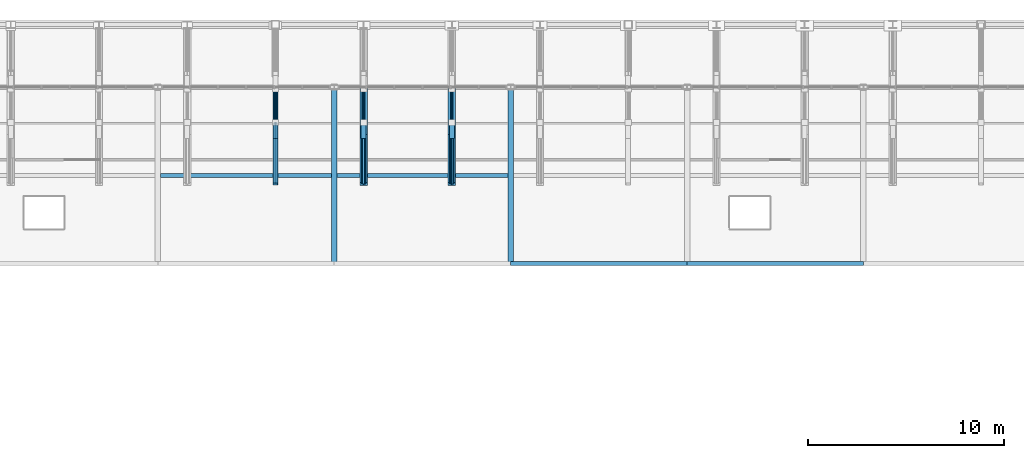
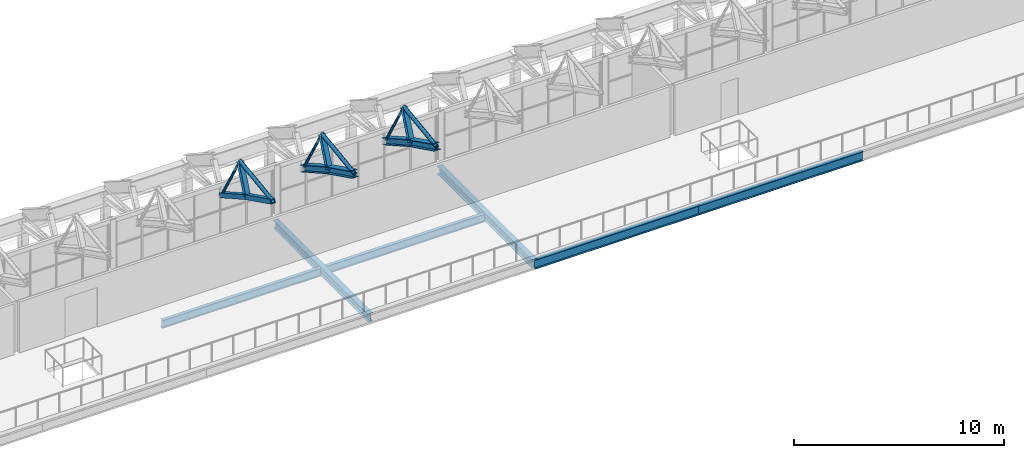
# One storey, part 69 of 134: 15 members, 6 beams.
"""IFC4 building model written with IfcOpenShell, lengths in metres."""

import ifcopenshell
import ifcopenshell.guid

model = None  # the IFC model being written
_history = None  # IfcOwnerHistory: only IFC2X3 demands one
_inside = {}  # id of a spatial element -> (the spatial element, [elements in it])
_under = {}  # id of a project, library or spatial element -> (it, [spatial elements below it])
_declared = {}  # id of a project -> (the project, [libraries it declares])
_typed = {}  # id of a type object -> (the type object, [elements of that type])
_made_of = {}  # id of a material, layer set ... -> (it, [elements and type objects made of it])


def new_model(schema):
    """Start an empty IFC model of exactly this schema.

    Asked for "IFC4X3", IfcOpenShell would pick the latest addendum, in which some entities
    have other attributes; the version numbers below select the first issue.
    IFC2X3 requires an IfcOwnerHistory on every rooted entity: one is made here for all.
    """
    global model, _history
    if schema == "IFC4X3":
        model = ifcopenshell.file(schema_version=(4, 3, 0, 0))
    else:
        model = ifcopenshell.file(schema=schema)
    _inside.clear()
    _under.clear()
    _declared.clear()
    _typed.clear()
    _made_of.clear()
    _history = None
    if model.schema == "IFC2X3":
        org = make("IfcOrganization", Name="unknown")
        user = make(
            "IfcPersonAndOrganization",
            ThePerson=make("IfcPerson", FamilyName="unknown"),
            TheOrganization=org,
        )
        app = make(
            "IfcApplication",
            ApplicationDeveloper=org,
            Version="unknown",
            ApplicationFullName="unknown",
            ApplicationIdentifier="unknown",
        )
        _history = make(
            "IfcOwnerHistory",
            OwningUser=user,
            OwningApplication=app,
            ChangeAction="ADDED",
            CreationDate=0,
        )
    return model


def make(cls, **values):
    """One entity of the class cls with the attributes given. An attribute that is None is left unset."""
    return model.create_entity(
        cls, **{name: value for name, value in values.items() if value is not None}
    )


def rooted(cls, **values):
    """An entity with a GlobalId (a new one), such as an element, a storey or a relation."""
    return make(cls, GlobalId=ifcopenshell.guid.new(), OwnerHistory=_history, **values)


def si_unit(unit_type, name, prefix=None):
    """IfcSIUnit, for example si_unit("LENGTHUNIT", "METRE", prefix="MILLI")."""
    return make("IfcSIUnit", UnitType=unit_type, Prefix=prefix, Name=name)


def assignment(units):
    """IfcUnitAssignment: the units of a project."""
    return None if units is None else make("IfcUnitAssignment", Units=units)


def point(xyz):
    """IfcCartesianPoint."""
    return None if xyz is None else make("IfcCartesianPoint", Coordinates=xyz)


def direction(xyz):
    """IfcDirection."""
    return None if xyz is None else make("IfcDirection", DirectionRatios=xyz)


def frame(location, z_axis=None, x_axis=None):
    """IfcAxis2Placement3D, a coordinate frame: its origin and axes. An axis left out is left unset."""
    return make(
        "IfcAxis2Placement3D",
        Location=point(location),
        Axis=direction(z_axis),
        RefDirection=direction(x_axis),
    )


def frame_2d(location, x_axis=None):
    """IfcAxis2Placement2D, a coordinate frame in the plane: its origin and x axis."""
    return make(
        "IfcAxis2Placement2D", Location=point(location), RefDirection=direction(x_axis)
    )


def origin():
    """The frame at (0, 0, 0) with its axes left unset."""
    return frame((0.0, 0.0, 0.0))


def origin_2d():
    """The frame at (0, 0) in the plane with its x axis left unset."""
    return frame_2d((0.0, 0.0))


def place(relative_to, where):
    """IfcLocalPlacement: puts the frame where relative to a parent placement (None: the world)."""
    return make(
        "IfcLocalPlacement", PlacementRelTo=relative_to, RelativePlacement=where
    )


def context(
    kind, dimensions, precision=None, world=None, true_north=None, identifier=None
):
    """IfcGeometricRepresentationContext, for example the 3D "Model" context."""
    return make(
        "IfcGeometricRepresentationContext",
        ContextIdentifier=identifier,
        ContextType=kind,
        CoordinateSpaceDimension=dimensions,
        Precision=precision,
        WorldCoordinateSystem=world,
        TrueNorth=true_north,
    )


def subcontext(parent, identifier, kind, view, scale=None):
    """IfcGeometricRepresentationSubContext, for example "Body" below "Model"."""
    return make(
        "IfcGeometricRepresentationSubContext",
        ContextIdentifier=identifier,
        ContextType=kind,
        ParentContext=parent,
        TargetScale=scale,
        TargetView=view,
    )


def project(units=None, contexts=None):
    """IfcProject with its units and contexts."""
    return rooted(
        "IfcProject",
        Name="project",
        RepresentationContexts=contexts,
        UnitsInContext=assignment(units),
    )


def spatial(cls, under=None, at=None, **own):
    """A site, building, storey or space (cls), placed at a placement, below another one or the project."""
    s = rooted(cls, ObjectPlacement=at, **own)
    if under is not None:
        _under.setdefault(under.id(), (under, []))[1].append(s)
    return s


def profile(cls, at=None, kind="AREA", **sizes):
    """A parametric profile (cls). Its sizes go by their IFC names, for example OverallWidth=200.0."""
    return make(cls, ProfileType=kind, Position=at, **sizes)


def hollow_rectangle(**sizes):
    """IfcRectangleHollowProfileDef."""
    return profile("IfcRectangleHollowProfileDef", **sizes)


def hollow_circle(**sizes):
    """IfcCircleHollowProfileDef."""
    return profile("IfcCircleHollowProfileDef", **sizes)


def i_section(**sizes):
    """IfcIShapeProfileDef."""
    return profile("IfcIShapeProfileDef", **sizes)


def extrude(swept, where, along, depth):
    """IfcExtrudedAreaSolid: the profile swept, set in the frame where, extruded along a direction by depth."""
    return make(
        "IfcExtrudedAreaSolid",
        SweptArea=swept,
        Position=where,
        ExtrudedDirection=direction(along),
        Depth=depth,
    )


def shape(context_of_items, identifier, shape_type, items):
    """IfcShapeRepresentation: the items that make up one representation, for example the "Body"."""
    return make(
        "IfcShapeRepresentation",
        ContextOfItems=context_of_items,
        RepresentationIdentifier=identifier,
        RepresentationType=shape_type,
        Items=items,
    )


def material(Name=None, Category=None):
    """IfcMaterial."""
    return make("IfcMaterial", Name=Name, Category=Category)


def material_profile(
    of_material, cross_section, Name=None, Category=None, Priority=None
):
    """IfcMaterialProfile: a cross section and its material."""
    return make(
        "IfcMaterialProfile",
        Name=Name,
        Material=of_material,
        Profile=cross_section,
        Priority=Priority,
        Category=Category,
    )


def profile_set(profiles, Name=None, composite=None):
    """IfcMaterialProfileSet."""
    return make(
        "IfcMaterialProfileSet",
        Name=Name,
        MaterialProfiles=profiles,
        CompositeProfile=composite,
    )


def made_of(thing, what):
    """Note that an element or type object is made of a material, layer set ...; save() writes the relation."""
    if what is not None:
        _made_of.setdefault(what.id(), (what, []))[1].append(thing)
    return thing


def type_object(cls, material=None, **own):
    """A type object (cls), such as IfcWallType, which elements share."""
    return made_of(rooted(cls, **own), material)


def element(
    cls,
    number,
    at=None,
    inside=None,
    cuts=None,
    type_object=None,
    material=None,
    context=None,
    identifier="Body",
    shape_type=None,
    held_by="IfcProductDefinitionShape",
    body=None,
    shapes=None,
    **own,
):
    """One element of the class cls, such as IfcWall. Its Tag is "e" and its number.

    at: its placement. inside: the storey or other place that contains it. cuts: it is an
    opening in that element (IfcRelVoidsElement). A single representation is given by context,
    identifier, shape_type and body (its items); several are given by shapes. held_by: the class
    of the entity that holds the representations. save() writes the other relations.
    """
    e = rooted(cls, Tag="e%d" % number, ObjectPlacement=at, **own)
    if body is not None:
        shapes = [shape(context, identifier, shape_type, body)]
    if shapes is not None:
        e.Representation = make(held_by, Representations=shapes)
    if inside is not None:
        _inside.setdefault(inside.id(), (inside, []))[1].append(e)
    if cuts is not None:
        rooted(
            "IfcRelVoidsElement", RelatingBuildingElement=cuts, RelatedOpeningElement=e
        )
    if type_object is not None:
        _typed.setdefault(type_object.id(), (type_object, []))[1].append(e)
    return made_of(e, material)


def aggregate(whole, parts):
    """IfcRelAggregates: a whole, such as a stair, and the parts it consists of."""
    return rooted("IfcRelAggregates", RelatingObject=whole, RelatedObjects=parts)


def save(model, path):
    """Write the relations noted so far, then the file.

    IfcRelAggregates (storeys below a building ...), IfcRelContainedInSpatialStructure (elements
    in a storey), IfcRelDefinesByType, IfcRelAssociatesMaterial and IfcRelDeclares: one each for
    every whole, place, type object, material and project.
    """
    for whole, parts in _under.values():
        aggregate(whole, parts)
    for where, things in _inside.values():
        rooted(
            "IfcRelContainedInSpatialStructure",
            RelatedElements=things,
            RelatingStructure=where,
        )
    for kind, things in _typed.values():
        rooted("IfcRelDefinesByType", RelatedObjects=things, RelatingType=kind)
    for what, things in _made_of.values():
        rooted("IfcRelAssociatesMaterial", RelatedObjects=things, RelatingMaterial=what)
    for by, libraries in _declared.values():
        rooted("IfcRelDeclares", RelatingContext=by, RelatedDefinitions=libraries)
    model.write(path)


model = new_model("IFC4")

# Units and contexts
model_context = context("Model", 3, precision=1e-05, world=origin(), true_north=direction((0.0, 1.0)))
body_context = subcontext(model_context, "Body", "Model", "MODEL_VIEW")
ifc_project = project(units=[si_unit("LENGTHUNIT", "METRE"), si_unit("AREAUNIT", "SQUARE_METRE"), si_unit("VOLUMEUNIT", "CUBIC_METRE"), si_unit("PLANEANGLEUNIT", "RADIAN"), si_unit("MASSUNIT", "GRAM", prefix="KILO")], contexts=[model_context])

# Site, building, storey
site_placement = place(None, origin())
site = spatial("IfcSite", under=ifc_project, at=site_placement, CompositionType="ELEMENT")
building_placement = place(site_placement, origin())
building = spatial("IfcBuilding", under=site, at=building_placement, Name="Cazmaro Siding Exhibition Halls", CompositionType="ELEMENT")
storey_placement = place(building_placement, frame((0.0, 0.0, 12.0)))
storey = spatial("IfcBuildingStorey", under=building, at=storey_placement, Name="L02", CompositionType="ELEMENT", Elevation=12.0)

# Beams
ifc_material_1 = material(Name="Steel ASTM A992 Grade 50", Category="steel")
ifc_material_profile_1 = material_profile(ifc_material_1, i_section(OverallWidth=0.2099609375, OverallDepth=0.535888671875, WebThickness=0.010986328125, FlangeThickness=0.01708984375, at=origin_2d()), Name="W21X68")
ifc_profile_set_1 = profile_set([ifc_material_profile_1], Name="Steel ASTM A992 Grade 50")
beam_type_1 = type_object("IfcBeamType", Name="B-02", PredefinedType="BEAM", material=ifc_profile_set_1)
for number, where, z_axis, x_axis, name in (
    (1, (111.0, 111.800048828125, -0.488037109375), (1.0, 0.0, 0.0), (0.0, 1.0, 0.0), "Beam B-02 BM-0419"),
    (2, (120.0, 111.800048828125, -0.488037109375), (1.0, 0.0, 0.0), (0.0, 1.0, 0.0), "Beam B-02 BM-0422"),
):
    element("IfcBeam", number, at=place(storey_placement, frame(where, z_axis=z_axis, x_axis=x_axis)), inside=storey, type_object=beam_type_1, Name=name, PredefinedType="BEAM", context=body_context, shape_type="SweptSolid", body=[
        extrude(i_section(OverallWidth=0.2099609375, OverallDepth=0.535888671875, WebThickness=0.010986328125, FlangeThickness=0.01708984375, at=origin_2d()), origin(), (0.0, 0.0, 1.0), 9.0),
    ])
ifc_material_2 = material(Name="Steel ASTM A992 Grade 50", Category="steel")
ifc_material_profile_2 = material_profile(ifc_material_2, i_section(OverallWidth=0.279052734375, OverallDepth=0.4619140625, WebThickness=0.010986328125, FlangeThickness=0.01708984375, at=origin_2d()), Name="W18X76")
ifc_profile_set_2 = profile_set([ifc_material_profile_2], Name="Steel ASTM A992 Grade 50")
beam_type_2 = type_object("IfcBeamType", Name="B-03", PredefinedType="BEAM", material=ifc_profile_set_2)
for number, where, z_axis, x_axis, name in (
    (3, (102.0, 111.800048828125, -0.450927734375), (0.0, 1.0, 0.0), (-1.0, 0.0, 0.0), "Beam B-03 BM-0443"),
    (4, (111.0, 111.800048828125, -0.450927734375), (0.0, 1.0, 0.0), (-1.0, 0.0, 0.0), "Beam B-03 BM-0444"),
):
    element("IfcBeam", number, at=place(storey_placement, frame(where, z_axis=z_axis, x_axis=x_axis)), inside=storey, type_object=beam_type_2, Name=name, PredefinedType="BEAM", context=body_context, shape_type="SweptSolid", body=[
        extrude(i_section(OverallWidth=0.279052734375, OverallDepth=0.4619140625, WebThickness=0.010986328125, FlangeThickness=0.01708984375, at=origin_2d()), origin(), (0.0, 0.0, 1.0), 9.0),
    ])
ifc_material_3 = material(Name="Steel ASTM A992 Grade 50", Category="steel")
ifc_material_profile_3 = material_profile(ifc_material_3, i_section(OverallWidth=0.19091796875, OverallDepth=0.45703125, WebThickness=0.009033203125, FlangeThickness=0.013916015625, at=origin_2d()), Name="W18X50")
ifc_profile_set_3 = profile_set([ifc_material_profile_3], Name="Steel ASTM A992 Grade 50")
beam_type_3 = type_object("IfcBeamType", Name="J-01", PredefinedType="JOIST", material=ifc_profile_set_3)
for number, where, z_axis, x_axis, name in (
    (5, (93.139892578125, 116.300048828125, -0.448974609375), (1.0, 0.0, 0.0), (0.0, 1.0, 0.0), "Beam J-01 BM-0415"),
    (6, (102.139892578125, 116.300048828125, -0.448974609375), (1.0, 0.0, 0.0), (0.0, 1.0, 0.0), "Beam J-01 BM-0418"),
):
    element("IfcBeam", number, at=place(storey_placement, frame(where, z_axis=z_axis, x_axis=x_axis)), inside=storey, type_object=beam_type_3, Name=name, PredefinedType="JOIST", context=body_context, shape_type="SweptSolid", body=[
        extrude(i_section(OverallWidth=0.19091796875, OverallDepth=0.45703125, WebThickness=0.009033203125, FlangeThickness=0.013916015625, at=origin_2d()), origin(), (0.0, 0.0, 1.0), 8.72021484375),
    ])

# Members
ifc_material_4 = material(Name="Steel ASTM A500 Grade C", Category="steel")
ifc_material_profile_4 = material_profile(ifc_material_4, hollow_rectangle(XDim=0.25390625, YDim=0.25390625, WallThickness=0.014892578125, at=origin_2d()), Name="HSS10X10X5/8")
ifc_profile_set_4 = profile_set([ifc_material_profile_4], Name="Steel ASTM A500 Grade C")
member_type_1 = type_object("IfcMemberType", Name="TC-01", PredefinedType="CHORD", material=ifc_profile_set_4)
member_1_placement = place(storey_placement, frame((99.0, 115.868896484375, 4.87890625), z_axis=(0.0, 0.896077457924, -0.443897724033), x_axis=(-1.0, 0.0, 0.0)))
element("IfcMember", 7, at=member_1_placement, inside=storey, type_object=member_type_1, Name="Space frame barrel vault bottom chord TC-01 MEM-0847", PredefinedType="CHORD", context=body_context, shape_type="SweptSolid", body=[
    extrude(hollow_rectangle(XDim=0.25390625, YDim=0.25390625, WallThickness=0.014892578125, at=origin_2d()), origin(), (0.0, 0.0, 1.0), 2.7119140625),
])
member_2_placement = place(storey_placement, frame((99.0, 118.299072265625, 3.675048828125), z_axis=(0.0, 0.871222319466, -0.490888653428), x_axis=(-1.0, 0.0, 0.0)))
element("IfcMember", 8, at=member_2_placement, inside=storey, type_object=member_type_1, Name="Space frame barrel vault bottom chord TC-01 MEM-0849", PredefinedType="CHORD", context=body_context, shape_type="SweptSolid", body=[
    extrude(hollow_rectangle(XDim=0.25390625, YDim=0.25390625, WallThickness=0.014892578125, at=origin_2d()), origin(), (0.0, 0.0, 1.0), 2.7890625),
])
ifc_material_5 = material(Name="Steel ASTM A992 Grade 50", Category="steel")
ifc_material_profile_5 = material_profile(ifc_material_5, i_section(OverallWidth=0.37109375, OverallDepth=0.364013671875, WebThickness=0.012939453125, FlangeThickness=0.02197265625, at=origin_2d()), Name="W14X109")
ifc_profile_set_5 = profile_set([ifc_material_profile_5], Name="Steel ASTM A992 Grade 50")
member_type_2 = type_object("IfcMemberType", Name="TC-06", PredefinedType="CHORD", material=ifc_profile_set_5)
member_3_placement = place(storey_placement, frame((103.5, 115.868896484375, 4.87890625), z_axis=(0.0, 0.896077457924, -0.443897724033), x_axis=(-1.0, 0.0, 0.0)))
element("IfcMember", 9, at=member_3_placement, inside=storey, type_object=member_type_2, Name="Space frame barrel vault bottom chord TC-06 MEM-0918", PredefinedType="CHORD", context=body_context, shape_type="SweptSolid", body=[
    extrude(i_section(OverallWidth=0.37109375, OverallDepth=0.364013671875, WebThickness=0.012939453125, FlangeThickness=0.02197265625, at=origin_2d()), origin(), (0.0, 0.0, 1.0), 2.7119140625),
])
member_4_placement = place(storey_placement, frame((103.5, 118.299072265625, 3.675048828125), z_axis=(0.0, 0.871222319466, -0.490888653428), x_axis=(-1.0, 0.0, 0.0)))
element("IfcMember", 10, at=member_4_placement, inside=storey, type_object=member_type_2, Name="Space frame barrel vault bottom chord TC-06 MEM-0920", PredefinedType="CHORD", context=body_context, shape_type="SweptSolid", body=[
    extrude(i_section(OverallWidth=0.37109375, OverallDepth=0.364013671875, WebThickness=0.012939453125, FlangeThickness=0.02197265625, at=origin_2d()), origin(), (0.0, 0.0, 1.0), 2.7890625),
])
member_5_placement = place(storey_placement, frame((108.0, 115.868896484375, 4.87890625), z_axis=(0.0, 0.896077457924, -0.443897724033), x_axis=(-1.0, 0.0, 0.0)))
element("IfcMember", 11, at=member_5_placement, inside=storey, type_object=member_type_2, Name="Space frame barrel vault bottom chord TC-06 MEM-0989", PredefinedType="CHORD", context=body_context, shape_type="SweptSolid", body=[
    extrude(i_section(OverallWidth=0.37109375, OverallDepth=0.364013671875, WebThickness=0.012939453125, FlangeThickness=0.02197265625, at=origin_2d()), origin(), (0.0, 0.0, 1.0), 2.7119140625),
])
member_6_placement = place(storey_placement, frame((108.0, 118.299072265625, 3.675048828125), z_axis=(0.0, 0.871222319466, -0.490888653428), x_axis=(-1.0, 0.0, 0.0)))
element("IfcMember", 12, at=member_6_placement, inside=storey, type_object=member_type_2, Name="Space frame barrel vault bottom chord TC-06 MEM-0991", PredefinedType="CHORD", context=body_context, shape_type="SweptSolid", body=[
    extrude(i_section(OverallWidth=0.37109375, OverallDepth=0.364013671875, WebThickness=0.012939453125, FlangeThickness=0.02197265625, at=origin_2d()), origin(), (0.0, 0.0, 1.0), 2.7890625),
])
ifc_material_6 = material(Name="Steel ASTM A992 Grade 50", Category="steel")
ifc_material_profile_6 = material_profile(ifc_material_6, i_section(OverallWidth=0.25390625, OverallDepth=0.25390625, WebThickness=0.009033203125, FlangeThickness=0.013916015625, at=origin_2d()), Name="W10X49")
ifc_profile_set_6 = profile_set([ifc_material_profile_6], Name="Steel ASTM A992 Grade 50")
member_type_3 = type_object("IfcMemberType", Name="TP-04", PredefinedType="POST", material=ifc_profile_set_6)
for number, where, z_axis, x_axis, name in (
    (13, (99.0, 118.299072265625, 3.675048828125), (0.0, 0.395865434272, 0.918308530913), (-1.0, 0.0, 0.0), "Space frame barrel vault post TP-04 MEM-0874"),
    (14, (103.5, 118.299072265625, 3.675048828125), (0.0, 0.395865434272, 0.918308530913), (-1.0, 0.0, 0.0), "Space frame barrel vault post TP-04 MEM-0945"),
    (15, (108.0, 118.299072265625, 3.675048828125), (0.0, 0.395865434272, 0.918308530913), (-1.0, 0.0, 0.0), "Space frame barrel vault post TP-04 MEM-1016"),
):
    element("IfcMember", number, at=place(storey_placement, frame(where, z_axis=z_axis, x_axis=x_axis)), inside=storey, type_object=member_type_3, Name=name, PredefinedType="POST", context=body_context, shape_type="SweptSolid", body=[
        extrude(i_section(OverallWidth=0.25390625, OverallDepth=0.25390625, WebThickness=0.009033203125, FlangeThickness=0.013916015625, at=origin_2d()), origin(), (0.0, 0.0, 1.0), 1.7705078125),
    ])
ifc_material_7 = material(Name="Steel ASTM A500 Grade C", Category="steel")
ifc_material_profile_7 = material_profile(ifc_material_7, hollow_circle(Radius=0.109619140625, WallThickness=0.012939453125, at=origin_2d()), Name="PIPE8XS")
ifc_profile_set_7 = profile_set([ifc_material_profile_7], Name="Steel ASTM A500 Grade C")
member_type_4 = type_object("IfcMemberType", Name="WB-01", PredefinedType="BRACE", material=ifc_profile_set_7)
for number, where, z_axis, x_axis, name in (
    (16, (99.0, 115.868896484375, 4.87890625), (0.0, 0.991034510477, 0.133606134005), (-1.0, 0.0, 0.0), "Space frame barrel vault diagonal WB-01 MEM-0848"),
    (17, (103.5, 115.868896484375, 4.87890625), (0.0, 0.991034510477, 0.133606134005), (-1.0, 0.0, 0.0), "Space frame barrel vault diagonal WB-01 MEM-0919"),
    (18, (108.0, 115.868896484375, 4.87890625), (0.0, 0.991034510477, 0.133606134005), (-1.0, 0.0, 0.0), "Space frame barrel vault diagonal WB-01 MEM-0990"),
):
    element("IfcMember", number, at=place(storey_placement, frame(where, z_axis=z_axis, x_axis=x_axis)), inside=storey, type_object=member_type_4, Name=name, PredefinedType="BRACE", context=body_context, shape_type="SweptSolid", body=[
        extrude(hollow_circle(Radius=0.109619140625, WallThickness=0.012939453125, at=origin_2d()), origin(), (0.0, 0.0, 1.0), 3.159423828125),
    ])
ifc_material_8 = material(Name="Steel ASTM A500 Grade C", Category="steel")
ifc_material_profile_8 = material_profile(ifc_material_8, hollow_circle(Radius=0.070556640625, WallThickness=0.01904296875, at=origin_2d()), Name="PIPE5XXS")
ifc_profile_set_8 = profile_set([ifc_material_profile_8], Name="Steel ASTM A500 Grade C")
member_type_5 = type_object("IfcMemberType", Name="WB-07", PredefinedType="BRACE", material=ifc_profile_set_8)
for number, where, z_axis, x_axis, name in (
    (19, (99.0, 119.0, 5.301025390625), (0.0, 0.499950595228, -0.866053925764), (-1.0, 0.0, 0.0), "Space frame barrel vault diagonal WB-07 MEM-0850"),
    (20, (103.5, 119.0, 5.301025390625), (0.0, 0.499950595228, -0.866053925764), (-1.0, 0.0, 0.0), "Space frame barrel vault diagonal WB-07 MEM-0921"),
    (21, (108.0, 119.0, 5.301025390625), (0.0, 0.499950595228, -0.866053925764), (-1.0, 0.0, 0.0), "Space frame barrel vault diagonal WB-07 MEM-0992"),
):
    element("IfcMember", number, at=place(storey_placement, frame(where, z_axis=z_axis, x_axis=x_axis)), inside=storey, type_object=member_type_5, Name=name, PredefinedType="BRACE", context=body_context, shape_type="SweptSolid", body=[
        extrude(hollow_circle(Radius=0.070556640625, WallThickness=0.01904296875, at=origin_2d()), origin(), (0.0, 0.0, 1.0), 3.458251953125),
    ])

save(model, "model.ifc")
